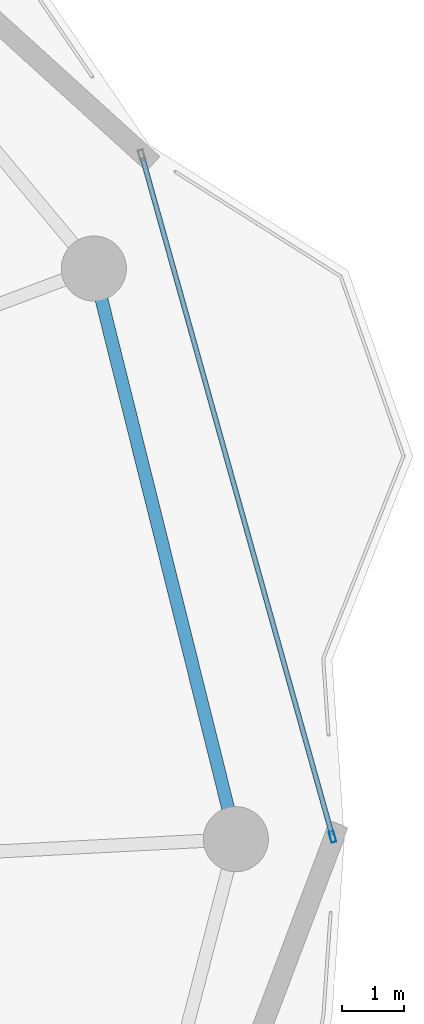
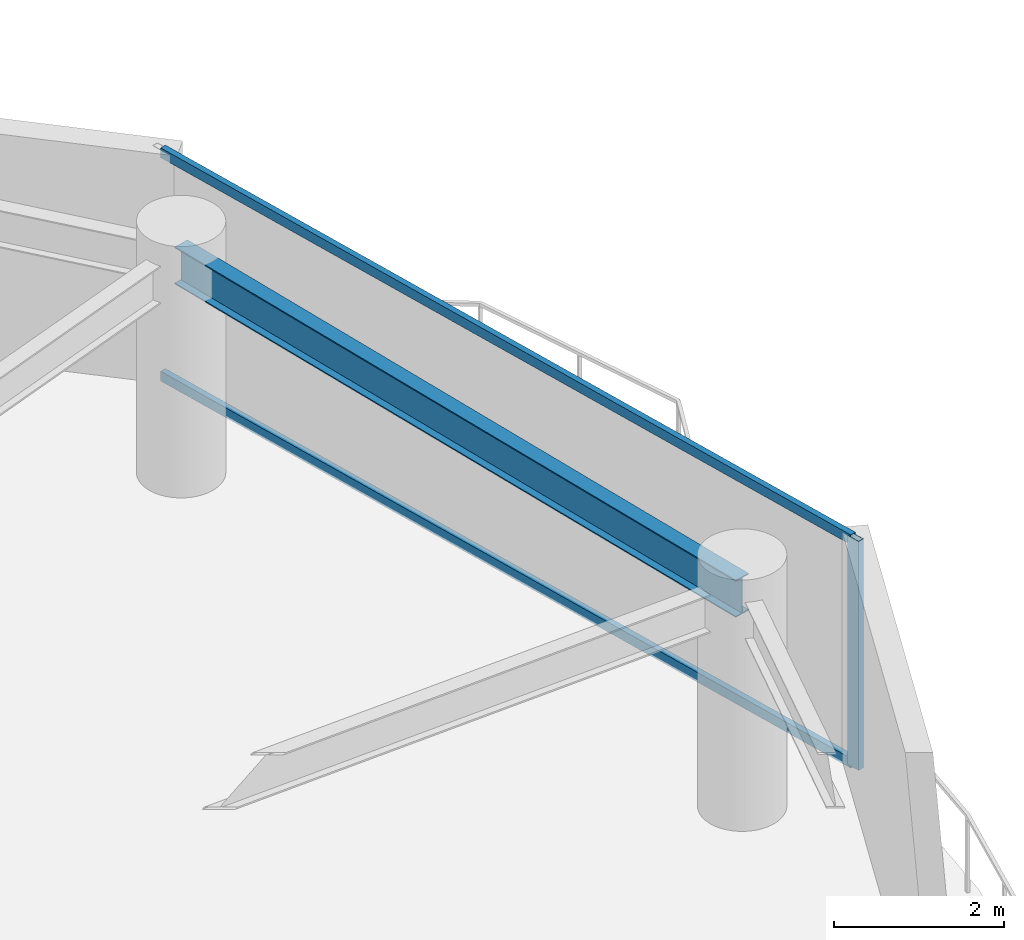
# One storey, part 15 of 29: 3 members, 1 beam, 1 element without a shape of its own.
"""IFC4 building model written with IfcOpenShell, lengths in metres."""

from ifc_helpers import new_model, si_unit, direction, frame, origin, origin_2d, place, context, subcontext, project, spatial, hollow_rectangle, i_section, extrude, material, layer, layer_set, material_profile, profile_set, type_object, element, aggregate, save


model = new_model("IFC4")

# Units and contexts
model_context = context("Model", 3, precision=1e-05, world=origin(), true_north=direction((0.0, 1.0)))
body_context = subcontext(model_context, "Body", "Model", "MODEL_VIEW")
ifc_project = project(units=[si_unit("LENGTHUNIT", "METRE"), si_unit("AREAUNIT", "SQUARE_METRE"), si_unit("VOLUMEUNIT", "CUBIC_METRE"), si_unit("PLANEANGLEUNIT", "RADIAN"), si_unit("MASSUNIT", "GRAM", prefix="KILO")], contexts=[model_context])

# Site, building, storey
site_placement = place(None, origin())
site = spatial("IfcSite", under=ifc_project, at=site_placement, CompositionType="ELEMENT")
building_placement = place(site_placement, origin())
building = spatial("IfcBuilding", under=site, at=building_placement, Name="Kazevale Care Tower and Concert Hall", CompositionType="ELEMENT")
storey_placement = place(building_placement, frame((0.0, 0.0, 249.60009765625)))
storey = spatial("IfcBuildingStorey", under=building, at=storey_placement, Name="L66", CompositionType="ELEMENT", Elevation=249.60009765625)

# Curtain wall, members
ifc_material_1 = material(Name="Aluminium 6063-T6 and Low-E Glass", Category="aluminium")
ifc_layer = layer(ifc_material_1, 0.179931640625)
ifc_layer_set = layer_set([ifc_layer], Name="Aluminium 6063-T6 and Low-E Glass")
curtain_wall_type = type_object("IfcCurtainWallType", Name="Waist & Upper Residential Curtain Wall CW-4", PredefinedType="NOTDEFINED", material=ifc_layer_set)
curtain_wall_placement = place(storey_placement, origin())
curtain_wall = element("IfcCurtainWall", 1, at=curtain_wall_placement, inside=storey, type_object=curtain_wall_type, Name="cw:L66:f18", PredefinedType="NOTDEFINED")
ifc_material_2 = material(Name="Aluminium 6063-T6", Category="aluminium")
ifc_material_profile_1 = material_profile(ifc_material_2, hollow_rectangle(XDim=0.080078125, YDim=0.179931640625, WallThickness=0.0048828125, at=origin_2d()), Name="ALU80x180x5")
ifc_profile_set_1 = profile_set([ifc_material_profile_1], Name="Aluminium 6063-T6")
member_type_1 = type_object("IfcMemberType", Name="CW-4 Mullion ALU80x180x5", PredefinedType="MULLION", material=ifc_profile_set_1)
member_1_placement = place(storey_placement, frame((76.609130859375, 38.03857421875, 0.0), z_axis=(0.0, 0.0, 1.0), x_axis=(0.962972156211, 0.269600864915, 0.0)))
member_1 = element("IfcMember", 2, at=member_1_placement, type_object=member_type_1, Name="CW-4 mullion 2", PredefinedType="MULLION", context=body_context, shape_type="SweptSolid", body=[
    extrude(hollow_rectangle(XDim=0.080078125, YDim=0.179931640625, WallThickness=0.0048828125, at=origin_2d()), origin(), (0.0, 0.0, 1.0), 3.27978515625),
])
ifc_material_profile_2 = material_profile(ifc_material_2, hollow_rectangle(XDim=0.080078125, YDim=0.139892578125, WallThickness=0.00390625, at=origin_2d()), Name="ALU80x140x4")
ifc_profile_set_2 = profile_set([ifc_material_profile_2], Name="Aluminium 6063-T6")
member_type_2 = type_object("IfcMemberType", Name="CW-4 Transom ALU80x140x4", PredefinedType="USERDEFINED", material=ifc_profile_set_2)
member_2_placement = place(storey_placement, frame((73.544677734375, 48.98486328125, 0.039794921875), z_axis=(0.269593149795, -0.96297431616, 0.0), x_axis=(0.96297431616, 0.269593149795, 0.0)))
member_2 = element("IfcMember", 3, at=member_2_placement, type_object=member_type_2, Name="CW-4 transom 1.1", ObjectType="TRANSOM", PredefinedType="USERDEFINED", context=body_context, shape_type="SweptSolid", body=[
    extrude(hollow_rectangle(XDim=0.080078125, YDim=0.139892578125, WallThickness=0.00390625, at=origin_2d()), origin(), (0.0, 0.0, 1.0), 11.3271484375),
])
member_3_placement = place(storey_placement, frame((73.544677734375, 48.98486328125, 3.239990234375), z_axis=(0.269593149795, -0.96297431616, 0.0), x_axis=(0.96297431616, 0.269593149795, 0.0)))
member_3 = element("IfcMember", 4, at=member_3_placement, type_object=member_type_2, Name="CW-4 transom 1.2", ObjectType="TRANSOM", PredefinedType="USERDEFINED", context=body_context, shape_type="SweptSolid", body=[
    extrude(hollow_rectangle(XDim=0.080078125, YDim=0.139892578125, WallThickness=0.00390625, at=origin_2d()), origin(), (0.0, 0.0, 1.0), 11.3271484375),
])
aggregate(curtain_wall, [member_1, member_2, member_3])

# Beam
ifc_material_3 = material(Name="Steel ASTM A572 Gr 50", Category="steel")
ifc_material_profile_3 = material_profile(ifc_material_3, i_section(OverallWidth=0.208984375, OverallDepth=0.532958984375, WebThickness=0.01025390625, FlangeThickness=0.015625, at=origin_2d()), Name="W530x92")
ifc_profile_set_3 = profile_set([ifc_material_profile_3], Name="Steel ASTM A572 Gr 50")
beam_type = type_object("IfcBeamType", Name="Upper Ring Beam W530x92", PredefinedType="BEAM", material=ifc_profile_set_3)
beam_placement = place(storey_placement, frame((75.050048828125, 38.0, 3.013427734375), z_axis=(-0.241547858543, 0.970388907621, 0.0), x_axis=(-0.970388907621, -0.241547858543, 0.0)))
element("IfcBeam", 5, at=beam_placement, inside=storey, type_object=beam_type, Name="beam:L66:ring:01", PredefinedType="BEAM", context=body_context, shape_type="SweptSolid", body=[
    extrude(i_section(OverallWidth=0.208984375, OverallDepth=0.532958984375, WebThickness=0.01025390625, FlangeThickness=0.015625, at=origin_2d()), origin(), (0.0, 0.0, 1.0), 9.480712890625),
])

save(model, "model.ifc")
